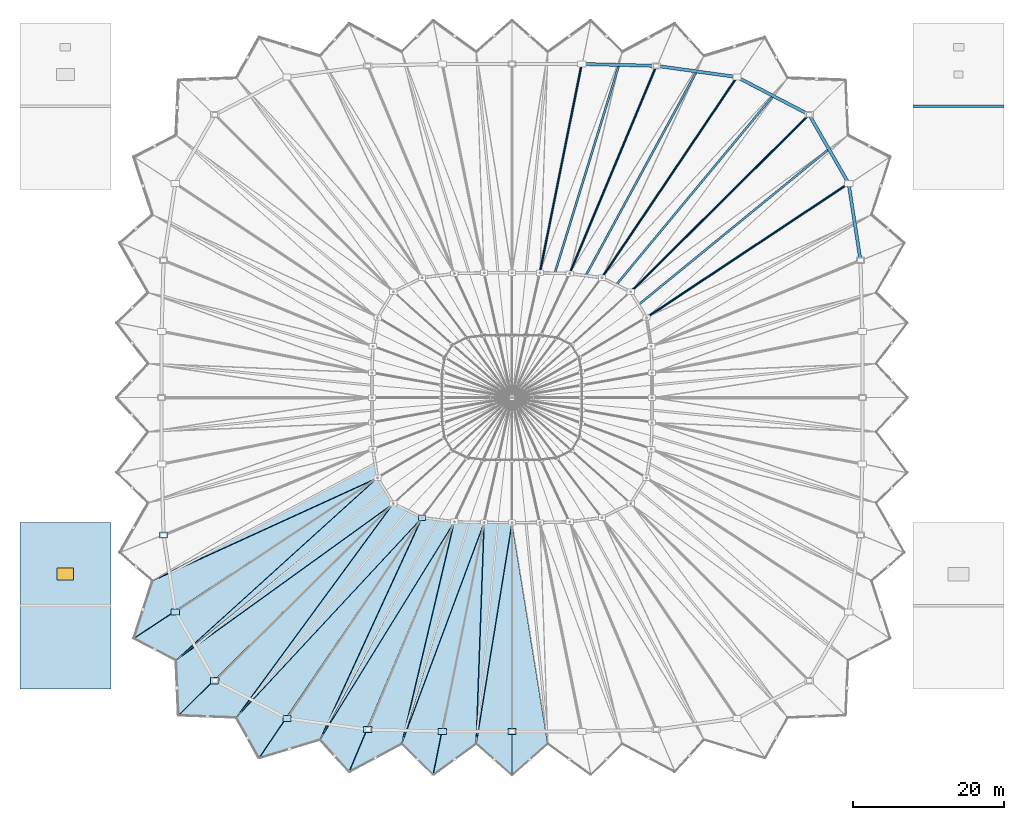
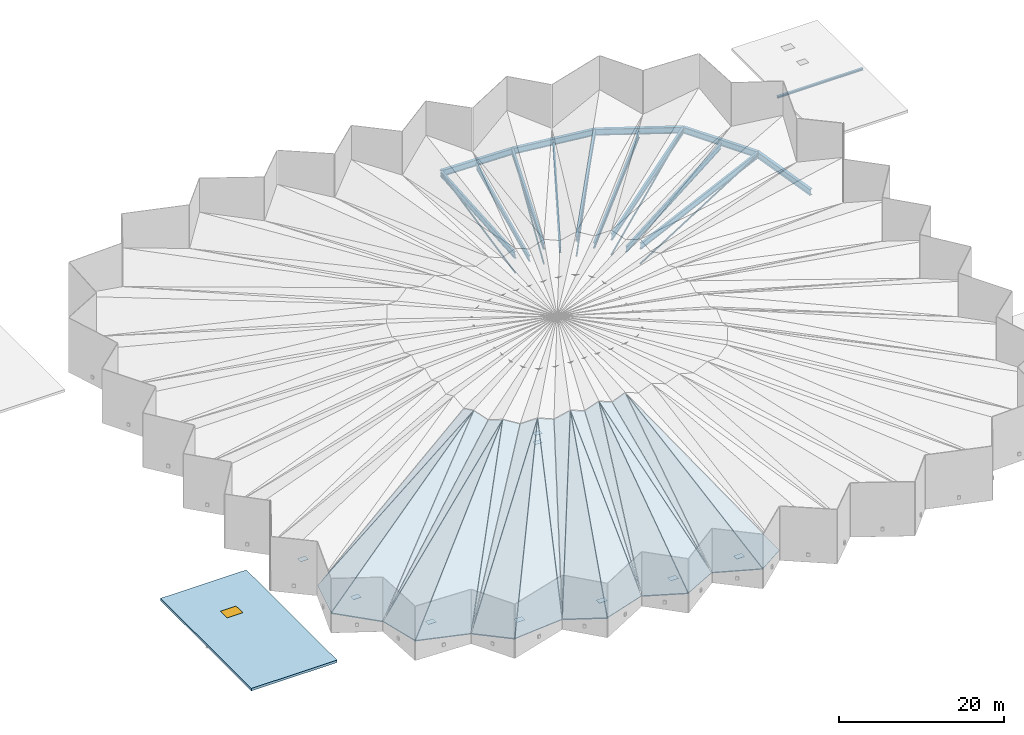
# One storey, part 28 of 41: 24 slabs, 15 beams, 9 plates, 5 members, 1 window, 1 opening.
"""IFC4 building model written with IfcOpenShell, lengths in metres."""

from ifc_helpers import new_model, si_unit, direction, frame, origin, origin_2d, place, context, subcontext, project, spatial, polyline, rectangle, hollow_circle, i_section, outline, extrude, material, layer, layer_set, material_profile, profile_set, type_object, element, fill, save


model = new_model("IFC4")

# Units and contexts
model_context = context("Model", 3, precision=1e-05, world=origin(), true_north=direction((0.0, 1.0)))
body_context = subcontext(model_context, "Body", "Model", "MODEL_VIEW")
ifc_project = project(units=[si_unit("LENGTHUNIT", "METRE"), si_unit("AREAUNIT", "SQUARE_METRE"), si_unit("VOLUMEUNIT", "CUBIC_METRE"), si_unit("PLANEANGLEUNIT", "RADIAN"), si_unit("MASSUNIT", "GRAM", prefix="KILO")], contexts=[model_context])

# Site, building, storey
site_placement = place(None, origin())
site = spatial("IfcSite", under=ifc_project, at=site_placement, CompositionType="ELEMENT")
building_placement = place(site_placement, origin())
building = spatial("IfcBuilding", under=site, at=building_placement, Name="Luwafu Chhajja Arena", CompositionType="ELEMENT")
storey_placement = place(building_placement, frame((0.0, 0.0, 29.699951171875)))
storey = spatial("IfcBuildingStorey", under=building, at=storey_placement, Name="RF", CompositionType="ELEMENT", Elevation=29.699951171875)

# Beams
ifc_material_1 = material(Name="Steel S355", Category="steel")
ifc_material_profile_1 = material_profile(ifc_material_1, i_section(OverallWidth=0.29248046875, OverallDepth=0.8408203125, WebThickness=0.0146484375, FlangeThickness=0.021728515625, at=origin_2d()), Name="UB 838x292x194")
ifc_profile_set_1 = profile_set([ifc_material_profile_1], Name="Steel S355")
beam_type_1 = type_object("IfcBeamType", Name="Folded Roof Ridge Girder UB 838x292x194", PredefinedType="BEAM", material=ifc_profile_set_1)
beam_1_placement = place(storey_placement, frame((143.47607421875, 77.805908203125, 0.179931640625), z_axis=(-0.816684064873, -0.541768182582, 0.198782228895), x_axis=(0.552800033918, -0.833313939941, 0.0)))
element("IfcBeam", 1, at=beam_1_placement, inside=storey, type_object=beam_type_1, Name="Roof truss ridge beam FR-04", PredefinedType="BEAM", context=body_context, shape_type="SweptSolid", body=[
    extrude(i_section(OverallWidth=0.29248046875, OverallDepth=0.8408203125, WebThickness=0.0146484375, FlangeThickness=0.021728515625, at=origin_2d()), origin(), (0.0, 0.0, 1.0), 32.69921875),
])
beam_2_placement = place(storey_placement, frame((138.256103515625, 86.890869140625, 0.179931640625), z_axis=(-0.696441850284, -0.691435577104, 0.192056220643), x_axis=(0.70455156187, -0.709652800083, 0.0)))
element("IfcBeam", 2, at=beam_2_placement, inside=storey, type_object=beam_type_1, Name="Roof truss ridge beam FR-05", PredefinedType="BEAM", context=body_context, shape_type="SweptSolid", body=[
    extrude(i_section(OverallWidth=0.29248046875, OverallDepth=0.8408203125, WebThickness=0.0146484375, FlangeThickness=0.021728515625, at=origin_2d()), origin(), (0.0, 0.0, 1.0), 33.84423828125),
])
beam_3_placement = place(storey_placement, frame((128.718017578125, 91.86279296875, 0.179931640625), z_axis=(-0.547145201878, -0.81296218727, 0.199310336236), x_axis=(0.829607074057, -0.558347653953, 0.0)))
element("IfcBeam", 3, at=beam_3_placement, inside=storey, type_object=beam_type_1, Name="Roof truss ridge beam FR-06", PredefinedType="BEAM", context=body_context, shape_type="SweptSolid", body=[
    extrude(i_section(OverallWidth=0.29248046875, OverallDepth=0.8408203125, WebThickness=0.0146484375, FlangeThickness=0.021728515625, at=origin_2d()), origin(), (0.0, 0.0, 1.0), 32.612548828125),
])
beam_4_placement = place(storey_placement, frame((118.067138671875, 93.3447265625, 0.179931640625), z_axis=(-0.376163407682, -0.901603356714, 0.213570779564), x_axis=(0.922896807402, -0.385047377459, 0.0)))
element("IfcBeam", 4, at=beam_4_placement, inside=storey, type_object=beam_type_1, Name="Roof truss ridge beam FR-07", PredefinedType="BEAM", context=body_context, shape_type="SweptSolid", body=[
    extrude(i_section(OverallWidth=0.29248046875, OverallDepth=0.8408203125, WebThickness=0.0146484375, FlangeThickness=0.021728515625, at=origin_2d()), origin(), (0.0, 0.0, 1.0), 30.434814453125),
])
beam_5_placement = place(storey_placement, frame((108.207275390625, 93.588134765625, 0.179931640625), z_axis=(-0.191411716732, -0.955359513043, 0.225055005577), x_axis=(0.980513548882, -0.196451471, 0.0)))
element("IfcBeam", 5, at=beam_5_placement, inside=storey, type_object=beam_type_1, Name="Roof truss ridge beam FR-08", PredefinedType="BEAM", context=body_context, shape_type="SweptSolid", body=[
    extrude(i_section(OverallWidth=0.29248046875, OverallDepth=0.8408203125, WebThickness=0.0146484375, FlangeThickness=0.021728515625, at=origin_2d()), origin(), (0.0, 0.0, 1.0), 28.8818359375),
])
ifc_material_profile_2 = material_profile(ifc_material_1, i_section(OverallWidth=0.2666015625, OverallDepth=0.76220703125, WebThickness=0.014404296875, FlangeThickness=0.021484375, at=origin_2d()), Name="UB 762x267x173")
ifc_profile_set_2 = profile_set([ifc_material_profile_2], Name="Steel S355")
beam_type_2 = type_object("IfcBeamType", Name="Folded Roof Valley Girder UB 762x267x173", PredefinedType="BEAM", material=ifc_profile_set_2)
beam_6_placement = place(storey_placement, frame((140.8662109375, 82.348388671875, -0.3798828125), z_axis=(-0.761626564411, -0.622873300209, 0.178756337706), x_axis=(0.633069920546, -0.774094616762, 0.0)))
element("IfcBeam", 6, at=beam_6_placement, inside=storey, type_object=beam_type_2, Name="Roof truss valley beam FV-04", PredefinedType="BEAM", context=body_context, shape_type="SweptSolid", body=[
    extrude(i_section(OverallWidth=0.2666015625, OverallDepth=0.76220703125, WebThickness=0.014404296875, FlangeThickness=0.021484375, at=origin_2d()), origin(), (0.0, 0.0, 1.0), 33.00537109375),
])
beam_7_placement = place(storey_placement, frame((133.487060546875, 89.376708984375, -0.3798828125), z_axis=(-0.628231662991, -0.757156292795, 0.178995323672), x_axis=(0.769585151023, -0.638544199978, 0.0)))
element("IfcBeam", 7, at=beam_7_placement, inside=storey, type_object=beam_type_2, Name="Roof truss valley beam FV-05", PredefinedType="BEAM", context=body_context, shape_type="SweptSolid", body=[
    extrude(i_section(OverallWidth=0.2666015625, OverallDepth=0.76220703125, WebThickness=0.014404296875, FlangeThickness=0.021484375, at=origin_2d()), origin(), (0.0, 0.0, 1.0), 32.961181640625),
])
beam_8_placement = place(storey_placement, frame((123.392578125, 92.603759765625, -0.3798828125), z_axis=(-0.4685551844, -0.863035066768, 0.188749868081), x_axis=(0.878831897098, -0.47713152971, 0.0)))
element("IfcBeam", 8, at=beam_8_placement, inside=storey, type_object=beam_type_2, Name="Roof truss valley beam FV-06", PredefinedType="BEAM", context=body_context, shape_type="SweptSolid", body=[
    extrude(i_section(OverallWidth=0.2666015625, OverallDepth=0.76220703125, WebThickness=0.014404296875, FlangeThickness=0.021484375, at=origin_2d()), origin(), (0.0, 0.0, 1.0), 31.2578125),
])
beam_9_placement = place(storey_placement, frame((113.13720703125, 93.46630859375, -0.3798828125), z_axis=(-0.288785431245, -0.936116966661, 0.200718707224), x_axis=(0.955563723311, -0.294784617463, 0.0)))
element("IfcBeam", 9, at=beam_9_placement, inside=storey, type_object=beam_type_2, Name="Roof truss valley beam FV-07", PredefinedType="BEAM", context=body_context, shape_type="SweptSolid", body=[
    extrude(i_section(OverallWidth=0.2666015625, OverallDepth=0.76220703125, WebThickness=0.014404296875, FlangeThickness=0.021484375, at=origin_2d()), origin(), (0.0, 0.0, 1.0), 29.393798828125),
])
ifc_material_profile_3 = material_profile(ifc_material_1, i_section(OverallWidth=0.41845703125, OverallDepth=0.911865234375, WebThickness=0.019287109375, FlangeThickness=0.031982421875, at=origin_2d()), Name="UB 914x419x343")
ifc_profile_set_3 = profile_set([ifc_material_profile_3], Name="Steel S355")
beam_type_3 = type_object("IfcBeamType", Name="Outer Compression Ring Girder UB 914x419x343", PredefinedType="BEAM", material=ifc_profile_set_3)
beam_10_placement = place(storey_placement, frame((145.031982421875, 67.6611328125, 0.179931640625), z_axis=(-0.1515977802, 0.988442265911, 0.0), x_axis=(-0.988442265911, -0.1515977802, 0.0)))
element("IfcBeam", 10, at=beam_10_placement, inside=storey, type_object=beam_type_3, Name="Roof Outer Compression Ring Beam OR-03", PredefinedType="BEAM", context=body_context, shape_type="SweptSolid", body=[
    extrude(i_section(OverallWidth=0.41845703125, OverallDepth=0.911865234375, WebThickness=0.019287109375, FlangeThickness=0.031982421875, at=origin_2d()), origin(), (0.0, 0.0, 1.0), 10.263427734375),
])
beam_11_placement = place(storey_placement, frame((143.47607421875, 77.805908203125, 0.179931640625), z_axis=(-0.498192671921, 0.867066353657, 0.0), x_axis=(-0.867066353657, -0.498192671921, 0.0)))
element("IfcBeam", 11, at=beam_11_placement, inside=storey, type_object=beam_type_3, Name="Roof Outer Compression Ring Beam OR-04", PredefinedType="BEAM", context=body_context, shape_type="SweptSolid", body=[
    extrude(i_section(OverallWidth=0.41845703125, OverallDepth=0.911865234375, WebThickness=0.019287109375, FlangeThickness=0.031982421875, at=origin_2d()), origin(), (0.0, 0.0, 1.0), 10.477783203125),
])
beam_12_placement = place(storey_placement, frame((138.256103515625, 86.890869140625, 0.179931640625), z_axis=(-0.886755170812, 0.462239404463, 0.0), x_axis=(-0.462239404463, -0.886755170812, 0.0)))
element("IfcBeam", 12, at=beam_12_placement, inside=storey, type_object=beam_type_3, Name="Roof Outer Compression Ring Beam OR-05", PredefinedType="BEAM", context=body_context, shape_type="SweptSolid", body=[
    extrude(i_section(OverallWidth=0.41845703125, OverallDepth=0.911865234375, WebThickness=0.019287109375, FlangeThickness=0.031982421875, at=origin_2d()), origin(), (0.0, 0.0, 1.0), 10.756103515625),
])
beam_13_placement = place(storey_placement, frame((128.718017578125, 91.86279296875, 0.179931640625), z_axis=(-0.990458730054, 0.137809666058, 0.0), x_axis=(-0.137809666058, -0.990458730054, 0.0)))
element("IfcBeam", 13, at=beam_13_placement, inside=storey, type_object=beam_type_3, Name="Roof Outer Compression Ring Beam OR-06", PredefinedType="BEAM", context=body_context, shape_type="SweptSolid", body=[
    extrude(i_section(OverallWidth=0.41845703125, OverallDepth=0.911865234375, WebThickness=0.019287109375, FlangeThickness=0.031982421875, at=origin_2d()), origin(), (0.0, 0.0, 1.0), 10.75341796875),
])
beam_14_placement = place(storey_placement, frame((118.067138671875, 93.3447265625, 0.179931640625), z_axis=(-0.999695420837, 0.024679253567, 0.0), x_axis=(-0.024679253567, -0.999695420837, 0.0)))
element("IfcBeam", 14, at=beam_14_placement, inside=storey, type_object=beam_type_3, Name="Roof Outer Compression Ring Beam OR-07", PredefinedType="BEAM", context=body_context, shape_type="SweptSolid", body=[
    extrude(i_section(OverallWidth=0.41845703125, OverallDepth=0.911865234375, WebThickness=0.019287109375, FlangeThickness=0.031982421875, at=origin_2d()), origin(), (0.0, 0.0, 1.0), 9.86279296875),
])

# Members
ifc_material_profile_4 = material_profile(ifc_material_1, hollow_circle(Radius=0.109619140625, WallThickness=0.010009765625, at=origin_2d()), Name="CHS 219.1x10")
ifc_profile_set_4 = profile_set([ifc_material_profile_4], Name="Steel S355")
member_type = type_object("IfcMemberType", Name="Roof Plan Wind Plan Brace CHS 219", PredefinedType="BRACE", material=ifc_profile_set_4)
member_1_placement = place(storey_placement, frame((143.47607421875, 77.805908203125, 0.179931640625), z_axis=(-0.827148215095, -0.548709843245, 0.121422148686), x_axis=(0.552800033918, -0.833313939941, 0.0)))
element("IfcMember", 15, at=member_1_placement, inside=storey, type_object=member_type, Name="Roof truss diagonal web RW-04", PredefinedType="BRACE", context=body_context, shape_type="SweptSolid", body=[
    extrude(hollow_circle(Radius=0.109619140625, WallThickness=0.010009765625, at=origin_2d()), origin(), (0.0, 0.0, 1.0), 32.285400390625),
])
member_2_placement = place(storey_placement, frame((138.256103515625, 86.890869140625, 0.179931640625), z_axis=(-0.704761004197, -0.699694929963, 0.117213190164), x_axis=(0.70455156187, -0.709652800083, 0.0)))
element("IfcMember", 16, at=member_2_placement, inside=storey, type_object=member_type, Name="Roof truss diagonal web RW-05", PredefinedType="BRACE", context=body_context, shape_type="SweptSolid", body=[
    extrude(hollow_circle(Radius=0.109619140625, WallThickness=0.010009765625, at=origin_2d()), origin(), (0.0, 0.0, 1.0), 33.44482421875),
])
member_3_placement = place(storey_placement, frame((128.718017578125, 91.86279296875, 0.179931640625), z_axis=(-0.554193781547, -0.823435145316, 0.12175308601), x_axis=(0.829607074057, -0.558347653953, 0.0)))
element("IfcMember", 17, at=member_3_placement, inside=storey, type_object=member_type, Name="Roof truss diagonal web RW-06", PredefinedType="BRACE", context=body_context, shape_type="SweptSolid", body=[
    extrude(hollow_circle(Radius=0.109619140625, WallThickness=0.010009765625, at=origin_2d()), origin(), (0.0, 0.0, 1.0), 32.19775390625),
])
member_4_placement = place(storey_placement, frame((118.067138671875, 93.3447265625, 0.179931640625), z_axis=(-0.381743623517, -0.91497823908, 0.130715828862), x_axis=(0.922896807402, -0.385047377459, 0.0)))
element("IfcMember", 18, at=member_4_placement, inside=storey, type_object=member_type, Name="Roof truss diagonal web RW-07", PredefinedType="BRACE", context=body_context, shape_type="SweptSolid", body=[
    extrude(hollow_circle(Radius=0.109619140625, WallThickness=0.010009765625, at=origin_2d()), origin(), (0.0, 0.0, 1.0), 29.989990234375),
])
member_5_placement = place(storey_placement, frame((108.207275390625, 93.588134765625, 0.179931640625), z_axis=(-0.194572617053, -0.971135956843, 0.13797264229), x_axis=(0.980513548882, -0.196451471, 0.0)))
element("IfcMember", 19, at=member_5_placement, inside=storey, type_object=member_type, Name="Roof truss diagonal web RW-08", PredefinedType="BRACE", context=body_context, shape_type="SweptSolid", body=[
    extrude(hollow_circle(Radius=0.109619140625, WallThickness=0.010009765625, at=origin_2d()), origin(), (0.0, 0.0, 1.0), 28.41259765625),
])

# Beam
ifc_material_profile_5 = material_profile(ifc_material_1, i_section(OverallWidth=0.300048828125, OverallDepth=0.300048828125, WebThickness=0.010986328125, FlangeThickness=0.01904296875, at=origin_2d()), Name="HEB 300")
ifc_profile_set_5 = profile_set([ifc_material_profile_5], Name="Steel S355")
beam_type_4 = type_object("IfcBeamType", Name="Steel Core Cap Beam HEB 300", PredefinedType="BEAM", material=ifc_profile_set_5)
beam_15_placement = place(storey_placement, frame((152.0, 88.0, -0.52001953125), z_axis=(1.0, 0.0, 0.0), x_axis=(0.0, 1.0, 0.0)))
element("IfcBeam", 20, at=beam_15_placement, inside=storey, type_object=beam_type_4, Name="RF Core C4 Cap Beam M", PredefinedType="BEAM", context=body_context, shape_type="SweptSolid", body=[
    extrude(i_section(OverallWidth=0.300048828125, OverallDepth=0.300048828125, WebThickness=0.010986328125, FlangeThickness=0.01904296875, at=origin_2d()), origin(), (0.0, 0.0, 1.0), 12.0),
])

# Slab, opening, window
ifc_material_2 = material(Name="Concrete C35/45", Category="concrete")
ifc_layer_1 = layer(ifc_material_2, 0.360107421875, Name="Concrete C35/45")
ifc_layer_set_1 = layer_set([ifc_layer_1], Name="Concrete C35/45")
slab_type_1 = type_object("IfcSlabType", Name="Core Overrun Structural Roof Cap 360", PredefinedType="ROOF", material=ifc_layer_set_1)
slab_1_placement = place(storey_placement, frame((0.0, 0.0, -0.35986328125)))
slab_1 = element("IfcSlab", 21, at=slab_1_placement, inside=storey, type_object=slab_type_1, Name="RF Core C1 Roof Slab", PredefinedType="ROOF", context=body_context, shape_type="SweptSolid", body=[
    extrude(outline(polyline([(34.0, 11.0), (46.0, 11.0), (46.0, 33.0), (34.0, 33.0), (34.0, 11.0)])), origin(), (0.0, 0.0, 1.0), 0.35986328125),
])
opening_placement = place(slab_1_placement, frame((40.0, 26.199951171875, -0.010009765625)))
opening = element("IfcOpeningElement", 22, at=opening_placement, cuts=slab_1, Name="Opening SK-01", PredefinedType="OPENING", context=body_context, shape_type="SweptSolid", body=[
    extrude(rectangle(XDim=2.199951171875, YDim=1.60009765625, at=origin_2d()), origin(), (0.0, 0.0, 1.0), 0.3798828125),
])
ifc_material_3 = material(Name="Solar-control laminated glass", Category="glass")
window_type = type_object("IfcWindowType", Name="Quadrant Core North-Light Skylight 2200x1600", PartitioningType="SINGLE_PANEL", PredefinedType="SKYLIGHT", material=ifc_material_3)
window_placement = place(opening_placement, frame((0.0, 0.0, 0.31982421875)))
window = element("IfcWindow", 23, at=window_placement, inside=storey, type_object=window_type, Name="RF Roof Skylight and Access Hatch 05", OverallHeight=1.60009765625, OverallWidth=2.199951171875, PartitioningType="SINGLE_PANEL", PredefinedType="SKYLIGHT", context=body_context, shape_type="SweptSolid", body=[
    extrude(rectangle(XDim=2.199951171875, YDim=1.60009765625, at=origin_2d()), origin(), (0.0, 0.0, 1.0), 0.050048828125),
])
fill(opening, window)

# Plates
ifc_layer_2 = layer(ifc_material_1, 0.030029296875, Name="Steel S355")
ifc_layer_set_2 = layer_set([ifc_layer_2], Name="Steel S355")
plate_type_1 = type_object("IfcPlateType", Name="Inner Tension Ring Node Plate RN-2", PredefinedType="USERDEFINED", material=ifc_layer_set_2)
for number, where, z_axis, x_axis, name in (
    (24, (87.125732421875, 33.64990234375, 5.43505859375), (0.0, 0.0, 1.0), (1.0, 0.0, 0.0), "Inner Ring Upper Node Plate RN-2 22"),
    (25, (87.125732421875, 33.64990234375, 4.0849609375), (0.0, 0.0, 1.0), (1.0, 0.0, 0.0), "Inner Ring Lower Node Plate RN-2 22"),
):
    element("IfcPlate", number, at=place(storey_placement, frame(where, z_axis=z_axis, x_axis=x_axis)), inside=storey, type_object=plate_type_1, Name=name, ObjectType="GUSSET PLATE", PredefinedType="USERDEFINED", context=body_context, shape_type="SweptSolid", body=[
        extrude(rectangle(XDim=0.949951171875, YDim=0.699951171875, at=origin_2d()), origin(), (0.0, 0.0, 1.0), 0.030029296875),
    ])
ifc_layer_3 = layer(ifc_material_1, 0.031982421875, Name="Steel S355")
ifc_layer_set_3 = layer_set([ifc_layer_3], Name="Steel S355")
plate_type_2 = type_object("IfcPlateType", Name="Ring Beam Kink Node Gusset Plate RN-1", PredefinedType="USERDEFINED", material=ifc_layer_set_3)
for number, where, z_axis, x_axis, name in (
    (26, (52.968017578125, 31.3388671875, 0.1640625), (0.0, 0.0, 1.0), (1.0, 0.0, 0.0), "Outer Ring Node Gusset Plate RN-1 19"),
    (27, (54.52392578125, 21.194091796875, 0.1640625), (0.0, 0.0, 1.0), (1.0, 0.0, 0.0), "Outer Ring Node Gusset Plate RN-1 20"),
    (28, (59.743896484375, 12.109130859375, 0.1640625), (0.0, 0.0, 1.0), (1.0, 0.0, 0.0), "Outer Ring Node Gusset Plate RN-1 21"),
    (29, (69.281982421875, 7.13720703125, 0.1640625), (0.0, 0.0, 1.0), (1.0, 0.0, 0.0), "Outer Ring Node Gusset Plate RN-1 22"),
    (30, (79.932861328125, 5.6552734375, 0.1640625), (0.0, 0.0, 1.0), (1.0, 0.0, 0.0), "Outer Ring Node Gusset Plate RN-1 23"),
    (31, (89.792724609375, 5.411865234375, 0.1640625), (0.0, 0.0, 1.0), (1.0, 0.0, 0.0), "Outer Ring Node Gusset Plate RN-1 24"),
    (32, (99.0, 5.39990234375, 0.1640625), (0.0, 0.0, 1.0), (1.0, 0.0, 0.0), "Outer Ring Node Gusset Plate RN-1 25"),
):
    element("IfcPlate", number, at=place(storey_placement, frame(where, z_axis=z_axis, x_axis=x_axis)), inside=storey, type_object=plate_type_2, Name=name, ObjectType="GUSSET PLATE", PredefinedType="USERDEFINED", context=body_context, shape_type="SweptSolid", body=[
        extrude(rectangle(XDim=1.10009765625, YDim=0.800048828125, at=origin_2d()), origin(), (0.0, 0.0, 1.0), 0.031982421875),
    ])

# Slabs
ifc_material_4 = material(Name="Precast concrete C40/50", Category="concrete")
ifc_layer_4 = layer(ifc_material_4, 0.179931640625, Name="Precast concrete C40/50")
ifc_layer_set_4 = layer_set([ifc_layer_4], Name="Precast concrete C40/50")
slab_type_2 = type_object("IfcSlabType", Name="White Folded Bowl Roof Panel 180", PredefinedType="ROOF", material=ifc_layer_set_4)
slab_2_placement = place(storey_placement, frame((51.51708984375, 25.303466796875, 0.414306640625), z_axis=(-0.347395801281, 0.283216121424, 0.89392661098), x_axis=(0.88795834257, 0.405770099392, 0.216519302373)))
element("IfcSlab", 33, at=slab_2_placement, inside=storey, type_object=slab_type_2, Name="White Folded Bowl Roof Panel 19B1", PredefinedType="ROOF", context=body_context, shape_type="SweptSolid", body=[
    extrude(outline(polyline([(0.0, 0.0), (33.12687295441018, -1.3322676295501878e-15), (-4.939907287179236, -6.380254638958193), (0.0, 0.0)])), origin(), (0.0, 0.0, -1.0), 0.179931640625),
])
slab_3_placement = place(storey_placement, frame((52.331787109375, 25.733154296875, 0.594482421875), z_axis=(-0.351075622232, 0.293896982713, 0.889027823539), x_axis=(0.868487579025, 0.457075286445, 0.191863252344)))
element("IfcSlab", 34, at=slab_3_placement, inside=storey, type_object=slab_type_2, Name="White Folded Bowl Roof Panel 19B2", PredefinedType="ROOF", context=body_context, shape_type="SweptSolid", body=[
    extrude(outline(polyline([(0.0, 0.0), (32.89212988176609, 1.3322676295501878e-15), (32.45175672322473, -1.9551017424772401), (0.0, 0.0)])), origin(), (0.0, 0.0, -1.0), 0.179931640625),
])
slab_4_placement = place(storey_placement, frame((49.05712890625, 17.694580078125, 1.84765625), z_axis=(0.06185715669, -0.349501243719, 0.934891743896), x_axis=(0.82591942123, 0.543835414305, 0.148661197976)))
element("IfcSlab", 35, at=slab_4_placement, inside=storey, type_object=slab_type_2, Name="White Folded Bowl Roof Panel 20A1", PredefinedType="ROOF", context=body_context, shape_type="SweptSolid", body=[
    extrude(outline(polyline([(0.0, 0.0), (38.62764271241493, 1.5543122344752192e-15), (2.805106041133597, -5.747928729810053), (0.0, 0.0)])), origin(), (0.0, 0.0, -1.0), 0.179931640625),
])
slab_5_placement = place(storey_placement, frame((55.31640625, 15.41748046875, 0.58154296875), z_axis=(0.075959972314, -0.363196340419, 0.928611060085), x_axis=(0.726703528646, 0.657842936819, 0.197850074379)))
element("IfcSlab", 36, at=slab_5_placement, inside=storey, type_object=slab_type_2, Name="White Folded Bowl Roof Panel 20A2", PredefinedType="ROOF", context=body_context, shape_type="SweptSolid", body=[
    extrude(outline(polyline([(0.0, 0.0), (35.64933032444115, -2.6645352591003757e-15), (35.154514841447885, -2.0128237873036166), (0.0, 0.0)])), origin(), (0.0, 0.0, -1.0), 0.179931640625),
])
slab_6_placement = place(storey_placement, frame((54.62548828125, 14.790283203125, 0.41259765625), z_axis=(-0.353421468747, 0.167903699756, 0.920272575402), x_axis=(0.794616217359, 0.573006947342, 0.200619304671)))
element("IfcSlab", 37, at=slab_6_placement, inside=storey, type_object=slab_type_2, Name="White Folded Bowl Roof Panel 20B1", PredefinedType="ROOF", context=body_context, shape_type="SweptSolid", body=[
    extrude(outline(polyline([(0.0, 0.0), (35.77788481900359, -2.6645352591003757e-15), (-3.5918651111784214, -6.418396028536813), (0.0, 0.0)])), origin(), (0.0, 0.0, -1.0), 0.179931640625),
])
slab_7_placement = place(storey_placement, frame((55.33837890625, 15.368408203125, 0.580322265625), z_axis=(-0.361806712536, 0.18157973858, 0.914398546205), x_axis=(0.764542111846, 0.619052363422, 0.179581542914)))
element("IfcSlab", 38, at=slab_7_placement, inside=storey, type_object=slab_type_2, Name="White Folded Bowl Roof Panel 20B2", PredefinedType="ROOF", context=body_context, shape_type="SweptSolid", body=[
    extrude(outline(polyline([(0.0, 0.0), (35.21913738257699, 0.0), (35.102362397819725, -2.0698610817119993), (0.0, 0.0)])), origin(), (0.0, 0.0, -1.0), 0.179931640625),
])
slab_8_placement = place(storey_placement, frame((54.9775390625, 7.547607421875, 1.848388671875), z_axis=(0.161137255306, -0.354404275821, 0.921103899803), x_axis=(0.704831839115, 0.69461386999, 0.143957112319)))
element("IfcSlab", 39, at=slab_8_placement, inside=storey, type_object=slab_type_2, Name="White Folded Bowl Roof Panel 21A1", PredefinedType="ROOF", context=body_context, shape_type="SweptSolid", body=[
    extrude(outline(polyline([(0.0, 0.0), (39.90174943403867, -1.7763568394002505e-15), (4.9411389499758425, -5.936431325660509), (0.0, 0.0)])), origin(), (0.0, 0.0, -1.0), 0.179931640625),
])
slab_9_placement = place(storey_placement, frame((63.117919921875, 7.934326171875, 0.572509765625), z_axis=(0.180447652785, -0.366431112865, 0.912779756638), x_axis=(0.579234194011, 0.78961411382, 0.2024778994)))
element("IfcSlab", 40, at=slab_9_placement, inside=storey, type_object=slab_type_2, Name="White Folded Bowl Roof Panel 21A2", PredefinedType="ROOF", context=body_context, shape_type="SweptSolid", body=[
    extrude(outline(polyline([(0.0, 0.0), (34.88155577255084, 8.881784197001252e-16), (35.09352415193746, -2.1808820578359582), (0.0, 0.0)])), origin(), (0.0, 0.0, -1.0), 0.179931640625),
])
slab_10_placement = place(storey_placement, frame((62.60595703125, 7.233154296875, 0.411865234375), z_axis=(-0.343010084637, 0.061560021755, 0.937312352185), x_axis=(0.667473235195, 0.718074229312, 0.197101196083)))
element("IfcSlab", 41, at=slab_10_placement, inside=storey, type_object=slab_type_2, Name="White Folded Bowl Roof Panel 21B1", PredefinedType="ROOF", context=body_context, shape_type="SweptSolid", body=[
    extrude(outline(polyline([(0.0, 0.0), (36.417731897569396, 0.0), (-1.5552960713725101, -6.062504329153677), (0.0, 0.0)])), origin(), (0.0, 0.0, -1.0), 0.179931640625),
])
slab_11_placement = place(storey_placement, frame((63.174072265625, 7.92041015625, 0.574951171875), z_axis=(-0.340571261078, 0.059004634398, 0.938365424154), x_axis=(0.627422741465, 0.757569426436, 0.180081280599)))
element("IfcSlab", 42, at=slab_11_placement, inside=storey, type_object=slab_type_2, Name="White Folded Bowl Roof Panel 21B2", PredefinedType="ROOF", context=body_context, shape_type="SweptSolid", body=[
    extrude(outline(polyline([(0.0, 0.0), (35.148516396058575, -3.552713678800501e-15), (35.7581992274415, -2.1037932558662265), (0.0, 0.0)])), origin(), (0.0, 0.0, -1.0), 0.179931640625),
])
slab_12_placement = place(storey_placement, frame((65.63525390625, 1.910400390625, 1.84912109375), z_axis=(0.266749573474, -0.345079291751, 0.899869405778), x_axis=(0.554928643301, 0.818384810848, 0.149333526771)))
element("IfcSlab", 43, at=slab_12_placement, inside=storey, type_object=slab_type_2, Name="White Folded Bowl Roof Panel 22A1", PredefinedType="ROOF", context=body_context, shape_type="SweptSolid", body=[
    extrude(outline(polyline([(0.0, 0.0), (38.447194024509365, -1.7763568394002505e-15), (6.201486096104505, -5.762330399568068), (0.0, 0.0)])), origin(), (0.0, 0.0, -1.0), 0.179931640625),
])
slab_13_placement = place(storey_placement, frame((74.009033203125, 5.065185546875, 0.57666015625), z_axis=(0.271378429776, -0.346709568845, 0.897856459978), x_axis=(0.407659437272, 0.886460334623, 0.219093264029)))
element("IfcSlab", 44, at=slab_13_placement, inside=storey, type_object=slab_type_2, Name="White Folded Bowl Roof Panel 22A2", PredefinedType="ROOF", context=body_context, shape_type="SweptSolid", body=[
    extrude(outline(polyline([(0.0, 0.0), (32.21395855970258, 8.881784197001252e-16), (32.659206617160365, -2.1674868602337454), (0.0, 0.0)])), origin(), (0.0, 0.0, -1.0), 0.179931640625),
])
slab_14_placement = place(storey_placement, frame((73.66845703125, 4.319091796875, 0.41259765625), z_axis=(-0.362853034835, -0.011005076262, 0.931781392499), x_axis=(0.513181937082, 0.832275056287, 0.209672435327)))
element("IfcSlab", 45, at=slab_14_placement, inside=storey, type_object=slab_type_2, Name="White Folded Bowl Roof Panel 22B1", PredefinedType="ROOF", context=body_context, shape_type="SweptSolid", body=[
    extrude(outline(polyline([(0.0, 0.0), (34.21561949445315, -1.3322676295501878e-15), (-1.2550323708689803, -5.729655822156792), (0.0, 0.0)])), origin(), (0.0, 0.0, -1.0), 0.179931640625),
])
slab_15_placement = place(storey_placement, frame((74.073486328125, 5.0751953125, 0.58056640625), z_axis=(-0.33576642747, -0.030132052965, 0.941463204575), x_axis=(0.464502231633, 0.864213283358, 0.193321177514)))
element("IfcSlab", 46, at=slab_15_placement, inside=storey, type_object=slab_type_2, Name="White Folded Bowl Roof Panel 22B2", PredefinedType="ROOF", context=body_context, shape_type="SweptSolid", body=[
    extrude(outline(polyline([(0.0, 0.0), (32.71100740263553, 2.220446049250313e-16), (33.58081317876189, -2.0334192786499763), (0.0, 0.0)])), origin(), (0.0, 0.0, -1.0), 0.179931640625),
])
slab_16_placement = place(storey_placement, frame((77.54150390625, 0.108642578125, 1.84912109375), z_axis=(0.347317372718, -0.301849383018, 0.887838719915), x_axis=(0.382578990911, 0.910011653196, 0.15972509747)))
element("IfcSlab", 47, at=slab_16_placement, inside=storey, type_object=slab_type_2, Name="White Folded Bowl Roof Panel 23A1", PredefinedType="ROOF", context=body_context, shape_type="SweptSolid", body=[
    extrude(outline(polyline([(0.0, 0.0), (35.919869690915725, 8.881784197001252e-16), (5.75265283803915, -5.45290566528694), (0.0, 0.0)])), origin(), (0.0, 0.0, -1.0), 0.179931640625),
])
slab_17_placement = place(storey_placement, frame((84.64892578125, 4.572998046875, 0.587158203125), z_axis=(0.333365663737, -0.300012424469, 0.893789616971), x_axis=(0.224192625784, 0.946050733244, 0.233935197592)))
element("IfcSlab", 48, at=slab_17_placement, inside=storey, type_object=slab_type_2, Name="White Folded Bowl Roof Panel 23A2", PredefinedType="ROOF", context=body_context, shape_type="SweptSolid", body=[
    extrude(outline(polyline([(0.0, 0.0), (30.121105294515413, 4.440892098500626e-16), (30.33775735455955, -2.0376426621085737), (0.0, 0.0)])), origin(), (0.0, 0.0, -1.0), 0.179931640625),
])
slab_18_placement = place(storey_placement, frame((84.463623046875, 3.783203125, 0.413818359375), z_axis=(-0.397249056628, -0.078819726018, 0.914319767805), x_axis=(0.340009723216, 0.912760342457, 0.226411009795)))
element("IfcSlab", 49, at=slab_18_placement, inside=storey, type_object=slab_type_2, Name="White Folded Bowl Roof Panel 23B1", PredefinedType="ROOF", context=body_context, shape_type="SweptSolid", body=[
    extrude(outline(polyline([(0.0, 0.0), (31.665569621562582, 1.3322676295501878e-15), (-1.9965846755599872, -5.616205953896697), (0.0, 0.0)])), origin(), (0.0, 0.0, -1.0), 0.179931640625),
])
slab_19_placement = place(storey_placement, frame((84.707275390625, 4.585693359375, 0.590087890625), z_axis=(-0.356061863324, -0.097882733264, 0.929321752686), x_axis=(0.285052195717, 0.935722151091, 0.207772235092)))
element("IfcSlab", 50, at=slab_19_placement, inside=storey, type_object=slab_type_2, Name="White Folded Bowl Roof Panel 23B2", PredefinedType="ROOF", context=body_context, shape_type="SweptSolid", body=[
    extrude(outline(polyline([(0.0, 0.0), (30.3912268267667, 8.881784197001252e-16), (31.046711629061033, -1.9403076272236985), (0.0, 0.0)])), origin(), (0.0, 0.0, -1.0), 0.179931640625),
])
slab_20_placement = place(storey_placement, frame((88.626708984375, -0.282470703125, 1.8486328125), z_axis=(0.396862493762, -0.234480736709, 0.887422641788), x_axis=(0.195098455939, 0.966276494636, 0.168066440443)))
element("IfcSlab", 51, at=slab_20_placement, inside=storey, type_object=slab_type_2, Name="White Folded Bowl Roof Panel 24A1", PredefinedType="ROOF", context=body_context, shape_type="SweptSolid", body=[
    extrude(outline(polyline([(0.0, 0.0), (34.121143551961, 4.440892098500626e-16), (4.803351381414176, -5.2207399683863915), (0.0, 0.0)])), origin(), (0.0, 0.0, -1.0), 0.179931640625),
])
slab_21_placement = place(storey_placement, frame((94.32763671875, 4.61767578125, 0.594970703125), z_axis=(0.366581211266, -0.236470001285, 0.899833403491), x_axis=(0.034835682197, 0.969971682189, 0.240710222046)))
element("IfcSlab", 52, at=slab_21_placement, inside=storey, type_object=slab_type_2, Name="White Folded Bowl Roof Panel 24A2", PredefinedType="ROOF", context=body_context, shape_type="SweptSolid", body=[
    extrude(outline(polyline([(0.0, 0.0), (29.23883280772167, 0.0), (29.123662044125236, -1.9249131742547645), (0.0, 0.0)])), origin(), (0.0, 0.0, -1.0), 0.179931640625),
])
slab_22_placement = place(storey_placement, frame((94.2998046875, 3.799560546875, 0.41455078125), z_axis=(-0.413222945682, -0.155802741756, 0.89720248708), x_axis=(0.155198330228, 0.958791063287, 0.237977257852)))
element("IfcSlab", 53, at=slab_22_placement, inside=storey, type_object=slab_type_2, Name="White Folded Bowl Roof Panel 24B1", PredefinedType="ROOF", context=body_context, shape_type="SweptSolid", body=[
    extrude(outline(polyline([(0.0, 0.0), (30.11834211993533, 4.440892098500626e-16), (-2.9045558349652207, -5.711643032949582), (0.0, 0.0)])), origin(), (0.0, 0.0, -1.0), 0.179931640625),
])
slab_23_placement = place(storey_placement, frame((94.38037109375, 4.622802734375, 0.595947265625), z_axis=(-0.372390401768, -0.166343220367, 0.91304727244), x_axis=(0.096076834061, 0.971610867338, 0.216197975079)))
element("IfcSlab", 54, at=slab_23_placement, inside=storey, type_object=slab_type_2, Name="White Folded Bowl Roof Panel 24B2", PredefinedType="ROOF", context=body_context, shape_type="SweptSolid", body=[
    extrude(outline(polyline([(0.0, 0.0), (29.181966338737663, 8.881784197001252e-16), (29.50871232345239, -1.9001486349872252), (0.0, 0.0)])), origin(), (0.0, 0.0, -1.0), 0.179931640625),
])
slab_24_placement = place(storey_placement, frame((99.02587890625, -0.34228515625, 1.84814453125), z_axis=(0.413222945682, -0.155802741756, 0.89720248708), x_axis=(0.0, 0.98525481824, 0.171093375487)))
element("IfcSlab", 55, at=slab_24_placement, inside=storey, type_object=slab_type_2, Name="White Folded Bowl Roof Panel 25A1", PredefinedType="ROOF", context=body_context, shape_type="SweptSolid", body=[
    extrude(outline(polyline([(0.0, 0.0), (33.51320121199431, -4.440892098500626e-16), (3.8354950416436147, -5.133058398245558), (0.0, 0.0)])), origin(), (0.0, 0.0, -1.0), 0.179931640625),
])

save(model, "model.ifc")
